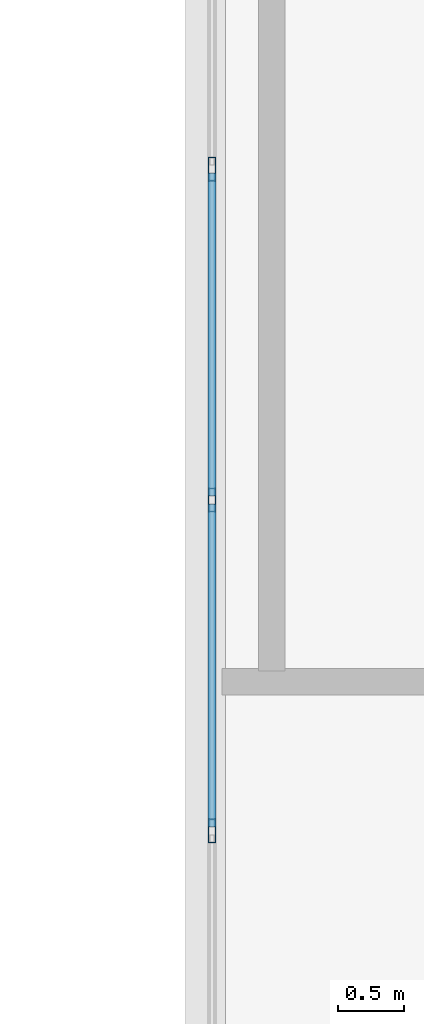
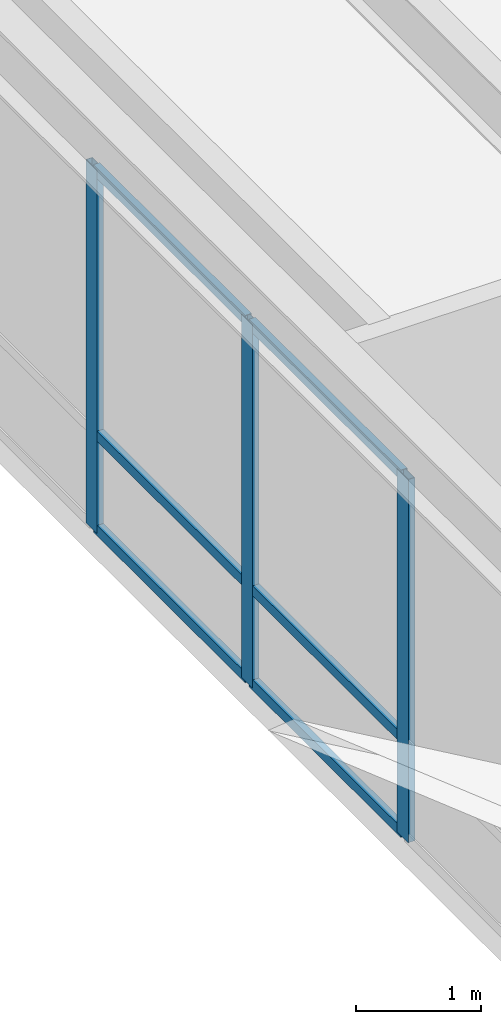
# One storey, part 75 of 142: 9 members, 1 element without a shape of its own.
"""IFC4 building model written with IfcOpenShell, lengths in metres."""

from ifc_helpers import new_model, si_unit, direction, frame, origin, origin_2d, place, context, subcontext, project, spatial, hollow_rectangle, extrude, material, layer, layer_set, material_profile, profile_set, type_object, element, aggregate, save


model = new_model("IFC4")

# Units and contexts
model_context = context("Model", 3, precision=1e-05, world=origin(), true_north=direction((0.0, 1.0)))
body_context = subcontext(model_context, "Body", "Model", "MODEL_VIEW")
ifc_project = project(units=[si_unit("LENGTHUNIT", "METRE"), si_unit("AREAUNIT", "SQUARE_METRE"), si_unit("VOLUMEUNIT", "CUBIC_METRE"), si_unit("PLANEANGLEUNIT", "RADIAN"), si_unit("MASSUNIT", "GRAM", prefix="KILO")], contexts=[model_context])

# Site, building, storey
site_placement = place(None, origin())
site = spatial("IfcSite", under=ifc_project, at=site_placement, CompositionType="ELEMENT")
building_placement = place(site_placement, origin())
building = spatial("IfcBuilding", under=site, at=building_placement, Name="Montelvaro Courts of Justice", CompositionType="ELEMENT")
storey_placement = place(building_placement, frame((0.0, 0.0, 14.39990234375)))
storey = spatial("IfcBuildingStorey", under=building, at=storey_placement, Name="L03", CompositionType="ELEMENT", Elevation=14.39990234375)

# Curtain wall, members
ifc_material = material(Name="Anodised aluminium EN AW-6063", Category="aluminium")
ifc_layer = layer(ifc_material, 0.159912109375)
ifc_layer_set = layer_set([ifc_layer], Name="Anodised aluminium EN AW-6063")
curtain_wall_type = type_object("IfcCurtainWallType", Name="CurtainWall_30_1742x418", PredefinedType="USERDEFINED", material=ifc_layer_set)
curtain_wall_placement = place(storey_placement, origin())
curtain_wall = element("IfcCurtainWall", 1, at=curtain_wall_placement, inside=storey, type_object=curtain_wall_type, Name="Curtain Wall CW-30 (L03)", ObjectType="CURTAIN WALL", PredefinedType="USERDEFINED")
ifc_material_profile_1 = material_profile(ifc_material, hollow_rectangle(XDim=0.06005859375, YDim=0.179931640625, WallThickness=0.00439453125, at=origin_2d()), Name="ALU-M 60x180")
ifc_profile_set_1 = profile_set([ifc_material_profile_1], Name="Anodised aluminium EN AW-6063")
member_type_1 = type_object("IfcMemberType", Name="CurtainWall_Mullion_60x180", PredefinedType="MULLION", material=ifc_profile_set_1)
member_1_placement = place(storey_placement, frame((99.050048828125, 85.755615234375, 0.0), z_axis=(0.0, 0.0, 1.0), x_axis=(1.0, 0.0, 0.0)))
member_1 = element("IfcMember", 2, at=member_1_placement, type_object=member_type_1, Name="CW-30 mullion 5", PredefinedType="MULLION", context=body_context, shape_type="SweptSolid", body=[
    extrude(hollow_rectangle(XDim=0.06005859375, YDim=0.179931640625, WallThickness=0.00439453125, at=origin_2d()), origin(), (0.0, 0.0, 1.0), 3.545166015625),
])
member_2_placement = place(storey_placement, frame((99.050048828125, 83.26708984375, 0.0), z_axis=(0.0, 0.0, 1.0), x_axis=(1.0, 0.0, 0.0)))
member_2 = element("IfcMember", 3, at=member_2_placement, type_object=member_type_1, Name="CW-30 mullion 6", PredefinedType="MULLION", context=body_context, shape_type="SweptSolid", body=[
    extrude(hollow_rectangle(XDim=0.06005859375, YDim=0.179931640625, WallThickness=0.00439453125, at=origin_2d()), origin(), (0.0, 0.0, 1.0), 3.545166015625),
])
member_3_placement = place(storey_placement, frame((99.050048828125, 80.778564453125, 0.0), z_axis=(0.0, 0.0, 1.0), x_axis=(1.0, 0.0, 0.0)))
member_3 = element("IfcMember", 4, at=member_3_placement, type_object=member_type_1, Name="CW-30 mullion 7", PredefinedType="MULLION", context=body_context, shape_type="SweptSolid", body=[
    extrude(hollow_rectangle(XDim=0.06005859375, YDim=0.179931640625, WallThickness=0.00439453125, at=origin_2d()), origin(), (0.0, 0.0, 1.0), 3.545166015625),
])
ifc_material_profile_2 = material_profile(ifc_material, hollow_rectangle(XDim=0.06005859375, YDim=0.10009765625, WallThickness=0.00341796875, at=origin_2d()), Name="ALU-T 60x100")
ifc_profile_set_2 = profile_set([ifc_material_profile_2], Name="Anodised aluminium EN AW-6063")
member_type_2 = type_object("IfcMemberType", Name="CurtainWall_Transom_60x100", PredefinedType="USERDEFINED", material=ifc_profile_set_2)
member_4_placement = place(storey_placement, frame((99.050048828125, 85.725830078125, 0.030029296875), z_axis=(0.0, -1.0, 0.0), x_axis=(1.0, 0.0, 0.0)))
member_4 = element("IfcMember", 5, at=member_4_placement, type_object=member_type_2, Name="CW-30 transom 5.1", ObjectType="TRANSOM", PredefinedType="USERDEFINED", context=body_context, shape_type="SweptSolid", body=[
    extrude(hollow_rectangle(XDim=0.06005859375, YDim=0.10009765625, WallThickness=0.00341796875, at=origin_2d()), origin(), (0.0, 0.0, 1.0), 2.4287109375),
])
member_5_placement = place(storey_placement, frame((99.050048828125, 85.725830078125, 0.9501953125), z_axis=(0.0, -1.0, 0.0), x_axis=(1.0, 0.0, 0.0)))
member_5 = element("IfcMember", 6, at=member_5_placement, type_object=member_type_2, Name="CW-30 transom 5.2", ObjectType="TRANSOM", PredefinedType="USERDEFINED", context=body_context, shape_type="SweptSolid", body=[
    extrude(hollow_rectangle(XDim=0.06005859375, YDim=0.10009765625, WallThickness=0.00341796875, at=origin_2d()), origin(), (0.0, 0.0, 1.0), 2.4287109375),
])
member_6_placement = place(storey_placement, frame((99.050048828125, 85.725830078125, 3.51513671875), z_axis=(0.0, -1.0, 0.0), x_axis=(1.0, 0.0, 0.0)))
member_6 = element("IfcMember", 7, at=member_6_placement, type_object=member_type_2, Name="CW-30 transom 5.3", ObjectType="TRANSOM", PredefinedType="USERDEFINED", context=body_context, shape_type="SweptSolid", body=[
    extrude(hollow_rectangle(XDim=0.06005859375, YDim=0.10009765625, WallThickness=0.00341796875, at=origin_2d()), origin(), (0.0, 0.0, 1.0), 2.4287109375),
])
member_7_placement = place(storey_placement, frame((99.050048828125, 83.237060546875, 0.030029296875), z_axis=(0.0, -1.0, 0.0), x_axis=(1.0, 0.0, 0.0)))
member_7 = element("IfcMember", 8, at=member_7_placement, type_object=member_type_2, Name="CW-30 transom 6.1", ObjectType="TRANSOM", PredefinedType="USERDEFINED", context=body_context, shape_type="SweptSolid", body=[
    extrude(hollow_rectangle(XDim=0.06005859375, YDim=0.10009765625, WallThickness=0.00341796875, at=origin_2d()), origin(), (0.0, 0.0, 1.0), 2.428466796875),
])
member_8_placement = place(storey_placement, frame((99.050048828125, 83.237060546875, 0.9501953125), z_axis=(0.0, -1.0, 0.0), x_axis=(1.0, 0.0, 0.0)))
member_8 = element("IfcMember", 9, at=member_8_placement, type_object=member_type_2, Name="CW-30 transom 6.2", ObjectType="TRANSOM", PredefinedType="USERDEFINED", context=body_context, shape_type="SweptSolid", body=[
    extrude(hollow_rectangle(XDim=0.06005859375, YDim=0.10009765625, WallThickness=0.00341796875, at=origin_2d()), origin(), (0.0, 0.0, 1.0), 2.428466796875),
])
member_9_placement = place(storey_placement, frame((99.050048828125, 83.237060546875, 3.51513671875), z_axis=(0.0, -1.0, 0.0), x_axis=(1.0, 0.0, 0.0)))
member_9 = element("IfcMember", 10, at=member_9_placement, type_object=member_type_2, Name="CW-30 transom 6.3", ObjectType="TRANSOM", PredefinedType="USERDEFINED", context=body_context, shape_type="SweptSolid", body=[
    extrude(hollow_rectangle(XDim=0.06005859375, YDim=0.10009765625, WallThickness=0.00341796875, at=origin_2d()), origin(), (0.0, 0.0, 1.0), 2.428466796875),
])
aggregate(curtain_wall, [member_1, member_2, member_3, member_4, member_5, member_6, member_7, member_8, member_9])

save(model, "model.ifc")
